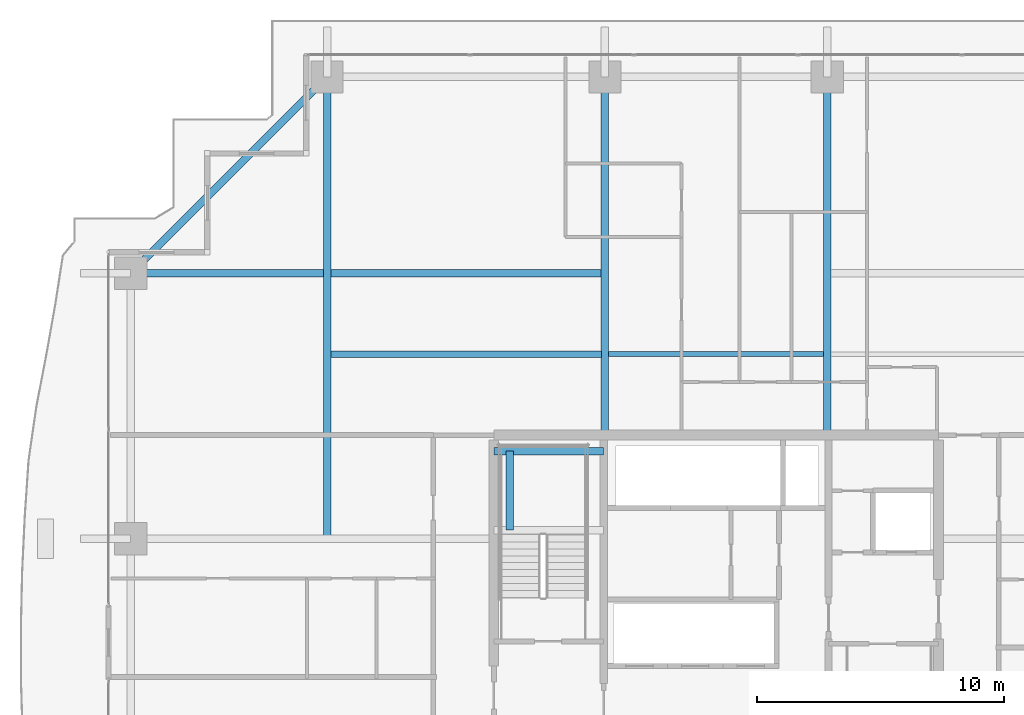
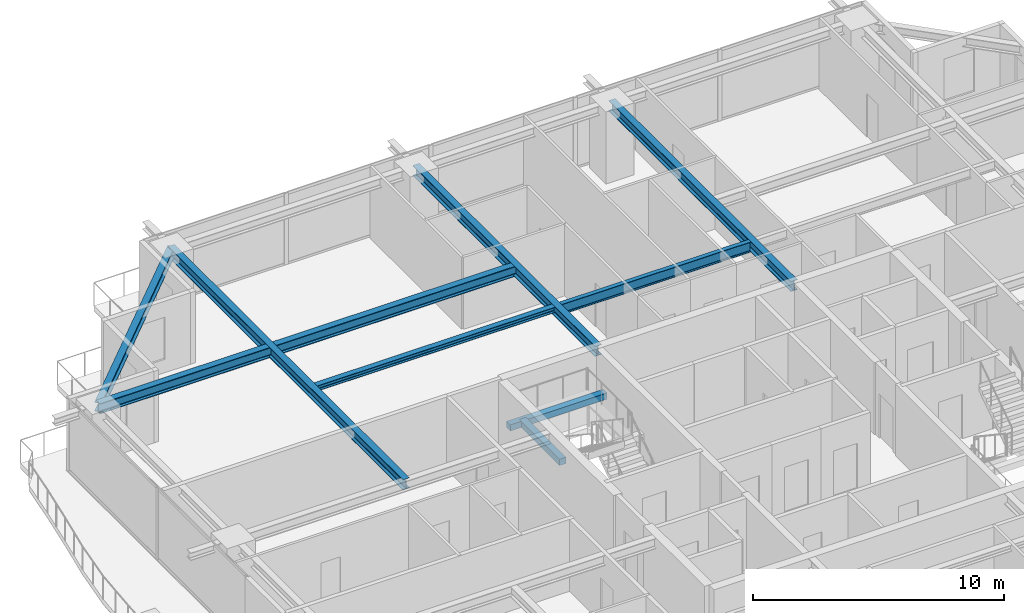
# One storey, part 17 of 34: 9 beams.
"""IFC4 building model written with IfcOpenShell, lengths in metres."""

from ifc_helpers import new_model, si_unit, direction, frame, origin, origin_2d, place, context, subcontext, project, spatial, rectangle, i_section, extrude, source, transform, mapped, material, material_profile, profile_set, type_object, element, save


model = new_model("IFC4")

# Units and contexts
model_context = context("Model", 3, precision=1e-05, world=origin(), true_north=direction((0.0, 1.0)))
body_context = subcontext(model_context, "Body", "Model", "MODEL_VIEW")
ifc_project = project(units=[si_unit("LENGTHUNIT", "METRE"), si_unit("AREAUNIT", "SQUARE_METRE"), si_unit("VOLUMEUNIT", "CUBIC_METRE"), si_unit("PLANEANGLEUNIT", "RADIAN"), si_unit("MASSUNIT", "GRAM", prefix="KILO")], contexts=[model_context])

# Site, building, storey
site_placement = place(None, origin())
site = spatial("IfcSite", under=ifc_project, at=site_placement, CompositionType="ELEMENT")
building_placement = place(site_placement, origin())
building = spatial("IfcBuilding", under=site, at=building_placement, Name="Serunith Strait Residences", CompositionType="ELEMENT")
storey_placement = place(building_placement, frame((0.0, 0.0, 142.64990234375)))
storey = spatial("IfcBuildingStorey", under=building, at=storey_placement, Name="L35", CompositionType="ELEMENT", Elevation=142.64990234375)

# Beams
ifc_material_1 = material(Name="Steel S355J2", Category="steel")
ifc_material_profile_1 = material_profile(ifc_material_1, i_section(OverallWidth=0.199951171875, OverallDepth=0.5, WebThickness=0.01025390625, FlangeThickness=0.01611328125, FilletRadius=0.02099609375, at=origin_2d()), Name="IPE 500")
ifc_profile_set_1 = profile_set([ifc_material_profile_1], Name="Steel S355J2")
beam_type_1 = type_object("IfcBeamType", Name="BM-IPE500", PredefinedType="JOIST", material=ifc_profile_set_1)
shared_shape_1 = source(origin(), body_context, "Body", "SweptSolid", [
    extrude(i_section(OverallWidth=0.199951171875, OverallDepth=0.5, WebThickness=0.01025390625, FlangeThickness=0.01611328125, FilletRadius=0.02099609375, at=origin_2d()), origin(), (0.0, 0.0, 1.0), 8.699951171875),
])
beam_1_placement = place(storey_placement, frame((28.050048828125, 36.875, 3.237060546875), z_axis=(1.0, 0.0, 0.0), x_axis=(0.0, 1.0, 0.0)))
element("IfcBeam", 1, at=beam_1_placement, inside=storey, type_object=beam_type_1, Name="L35 Composite Floor Joist 05", PredefinedType="JOIST", context=body_context, shape_type="MappedRepresentation", body=[
    mapped(shared_shape_1, transform((0.0, 0.0, 0.0), scale=1.0)),
])
ifc_material_profile_2 = material_profile(ifc_material_1, i_section(OverallWidth=0.300048828125, OverallDepth=0.5, WebThickness=0.014404296875, FlangeThickness=0.028076171875, FilletRadius=0.027099609375, at=origin_2d()), Name="HEB 500")
ifc_profile_set_2 = profile_set([ifc_material_profile_2], Name="Steel S355J2")
beam_type_2 = type_object("IfcBeamType", Name="BM-HEB500", PredefinedType="BEAM", material=ifc_profile_set_2)
shared_shape_2 = source(origin(), body_context, "Body", "SweptSolid", [
    extrude(i_section(OverallWidth=0.300048828125, OverallDepth=0.5, WebThickness=0.014404296875, FlangeThickness=0.028076171875, FilletRadius=0.027099609375, at=origin_2d()), origin(), (0.0, 0.0, 1.0), 14.5),
])
for number, where, z_axis, x_axis, name in (
    (2, (27.89990234375, 33.60009765625, 3.237060546875), (0.0, 1.0, 0.0), (-1.0, 0.0, 0.0), "L35 Primary Floor Girder TC-N2"),
    (3, (36.89990234375, 33.60009765625, 3.237060546875), (0.0, 1.0, 0.0), (-1.0, 0.0, 0.0), "L35 Primary Floor Girder TC-N3"),
):
    element("IfcBeam", number, at=place(storey_placement, frame(where, z_axis=z_axis, x_axis=x_axis)), inside=storey, type_object=beam_type_2, Name=name, PredefinedType="BEAM", context=body_context, shape_type="MappedRepresentation", body=[
        mapped(shared_shape_2, transform((0.0, 0.0, 0.0), scale=1.0)),
    ])
shared_shape_3 = source(origin(), body_context, "Body", "SweptSolid", [
    extrude(i_section(OverallWidth=0.300048828125, OverallDepth=0.5, WebThickness=0.014404296875, FlangeThickness=0.028076171875, FilletRadius=0.027099609375, at=origin_2d()), origin(), (0.0, 0.0, 1.0), 18.7001953125),
])
beam_2_placement = place(storey_placement, frame((16.64990234375, 29.39990234375, 3.237060546875), z_axis=(0.0, 1.0, 0.0), x_axis=(-1.0, 0.0, 0.0)))
element("IfcBeam", 4, at=beam_2_placement, inside=storey, type_object=beam_type_2, Name="L35 Orthogonal Corner Girder TC-N1", PredefinedType="BEAM", context=body_context, shape_type="MappedRepresentation", body=[
    mapped(shared_shape_3, transform((0.0, 0.0, 0.0), scale=1.0)),
])
shared_shape_4 = source(origin(), body_context, "Body", "SweptSolid", [
    extrude(i_section(OverallWidth=0.300048828125, OverallDepth=0.5, WebThickness=0.014404296875, FlangeThickness=0.028076171875, FilletRadius=0.027099609375, at=origin_2d()), origin(), (0.0, 0.0, 1.0), 19.199951171875),
])
beam_3_placement = place(storey_placement, frame((27.89990234375, 40.14990234375, 3.237060546875), z_axis=(-1.0, 0.0, 0.0), x_axis=(0.0, -1.0, 0.0)))
element("IfcBeam", 5, at=beam_3_placement, inside=storey, type_object=beam_type_2, Name="L35 Orthogonal Corner Girder TC-W4", PredefinedType="BEAM", context=body_context, shape_type="MappedRepresentation", body=[
    mapped(shared_shape_4, transform((0.0, 0.0, 0.0), scale=1.0)),
])
ifc_material_profile_3 = material_profile(ifc_material_1, i_section(OverallWidth=0.300048828125, OverallDepth=0.449951171875, WebThickness=0.013916015625, FlangeThickness=0.02587890625, FilletRadius=0.027099609375, at=origin_2d()), Name="HEB 450")
ifc_profile_set_3 = profile_set([ifc_material_profile_3], Name="Steel S355J2")
beam_type_3 = type_object("IfcBeamType", Name="BM-HEB450", PredefinedType="BEAM", material=ifc_profile_set_3)
shared_shape_5 = source(origin(), body_context, "Body", "SweptSolid", [
    extrude(i_section(OverallWidth=0.300048828125, OverallDepth=0.449951171875, WebThickness=0.013916015625, FlangeThickness=0.02587890625, FilletRadius=0.027099609375, at=origin_2d()), origin(), (0.0, 0.0, 1.0), 11.2431640625),
])
beam_4_placement = place(storey_placement, frame((16.64990234375, 48.10009765625, 3.232177734375), z_axis=(-0.707095923751, -0.707117638455, 0.0), x_axis=(0.707117638455, -0.707095923751, 0.0)))
element("IfcBeam", 6, at=beam_4_placement, inside=storey, type_object=beam_type_3, Name="L35 Perimeter Ring Beam 12", PredefinedType="BEAM", context=body_context, shape_type="MappedRepresentation", body=[
    mapped(shared_shape_5, transform((0.0, 0.0, 0.0), scale=1.0)),
])
ifc_material_profile_4 = material_profile(ifc_material_1, i_section(OverallWidth=0.260009765625, OverallDepth=0.260009765625, WebThickness=0.010009765625, FlangeThickness=0.017578125, FilletRadius=0.02392578125, at=origin_2d()), Name="HEB 260")
ifc_profile_set_4 = profile_set([ifc_material_profile_4], Name="Steel S355J2")
beam_type_4 = type_object("IfcBeamType", Name="BM-HEB260", PredefinedType="JOIST", material=ifc_profile_set_4)
shared_shape_6 = source(origin(), body_context, "Body", "SweptSolid", [
    extrude(i_section(OverallWidth=0.260009765625, OverallDepth=0.260009765625, WebThickness=0.010009765625, FlangeThickness=0.017578125, FilletRadius=0.02392578125, at=origin_2d()), origin(), (0.0, 0.0, 1.0), 10.949951171875),
])
beam_5_placement = place(storey_placement, frame((16.800048828125, 36.875, 3.357177734375), z_axis=(1.0, 0.0, 0.0), x_axis=(0.0, 1.0, 0.0)))
element("IfcBeam", 7, at=beam_5_placement, inside=storey, type_object=beam_type_4, Name="L35 Composite Floor Joist 04", PredefinedType="JOIST", context=body_context, shape_type="MappedRepresentation", body=[
    mapped(shared_shape_6, transform((0.0, 0.0, 0.0), scale=1.0)),
])
ifc_material_2 = material(Name="Concrete C60/75", Category="concrete")
ifc_material_profile_5 = material_profile(ifc_material_2, rectangle(XDim=0.300048828125, YDim=0.300048828125, at=origin_2d()), Name="RC 300x300")
ifc_profile_set_5 = profile_set([ifc_material_profile_5], Name="Concrete C60/75")
beam_type_5 = type_object("IfcBeamType", Name="BM-LAND-300x300", PredefinedType="BEAM", material=ifc_profile_set_5)
shared_shape_7 = source(origin(), body_context, "Body", "SweptSolid", [
    extrude(rectangle(XDim=0.300048828125, YDim=0.300048828125, at=origin_2d()), origin(), (0.0, 0.0, 1.0), 4.4501953125),
])
beam_6_placement = place(storey_placement, frame((23.39990234375, 32.949951171875, 1.525146484375), z_axis=(1.0, 0.0, 0.0), x_axis=(0.0, 1.0, 0.0)))
element("IfcBeam", 8, at=beam_6_placement, inside=storey, type_object=beam_type_5, Name="L35 ST-1 Landing Support Beam 2", PredefinedType="BEAM", context=body_context, shape_type="MappedRepresentation", body=[
    mapped(shared_shape_7, transform((0.0, 0.0, 0.0), scale=1.0)),
])
shared_shape_8 = source(origin(), body_context, "Body", "SweptSolid", [
    extrude(rectangle(XDim=0.300048828125, YDim=0.300048828125, at=origin_2d()), origin(), (0.0, 0.0, 1.0), 3.199951171875),
])
beam_7_placement = place(storey_placement, frame((24.050048828125, 29.75, 1.525146484375), z_axis=(0.0, 1.0, 0.0), x_axis=(-1.0, 0.0, 0.0)))
element("IfcBeam", 9, at=beam_7_placement, inside=storey, type_object=beam_type_5, Name="L35 ST-1 Landing Transverse Tie Beam", PredefinedType="BEAM", context=body_context, shape_type="MappedRepresentation", body=[
    mapped(shared_shape_8, transform((0.0, 0.0, 0.0), scale=1.0)),
])

save(model, "model.ifc")
